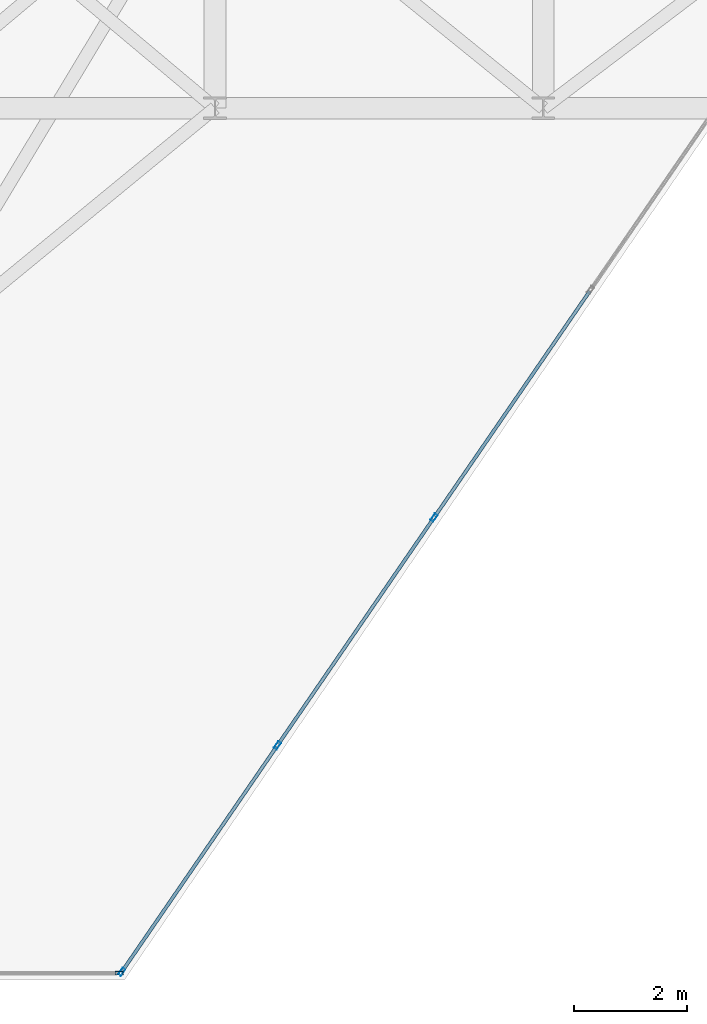
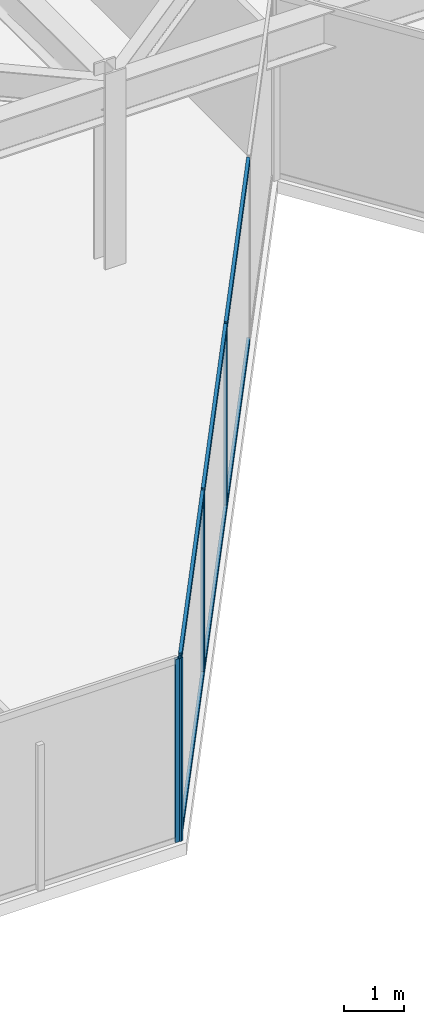
# One storey, part 6 of 27: 10 members, 2 elements without a shape of their own.
"""IFC4 building model written with IfcOpenShell, lengths in metres."""

import ifcopenshell
import ifcopenshell.guid

model = None  # the IFC model being written
_history = None  # IfcOwnerHistory: only IFC2X3 demands one
_inside = {}  # id of a spatial element -> (the spatial element, [elements in it])
_under = {}  # id of a project, library or spatial element -> (it, [spatial elements below it])
_declared = {}  # id of a project -> (the project, [libraries it declares])
_typed = {}  # id of a type object -> (the type object, [elements of that type])
_made_of = {}  # id of a material, layer set ... -> (it, [elements and type objects made of it])


def new_model(schema):
    """Start an empty IFC model of exactly this schema.

    Asked for "IFC4X3", IfcOpenShell would pick the latest addendum, in which some entities
    have other attributes; the version numbers below select the first issue.
    IFC2X3 requires an IfcOwnerHistory on every rooted entity: one is made here for all.
    """
    global model, _history
    if schema == "IFC4X3":
        model = ifcopenshell.file(schema_version=(4, 3, 0, 0))
    else:
        model = ifcopenshell.file(schema=schema)
    _inside.clear()
    _under.clear()
    _declared.clear()
    _typed.clear()
    _made_of.clear()
    _history = None
    if model.schema == "IFC2X3":
        org = make("IfcOrganization", Name="unknown")
        user = make(
            "IfcPersonAndOrganization",
            ThePerson=make("IfcPerson", FamilyName="unknown"),
            TheOrganization=org,
        )
        app = make(
            "IfcApplication",
            ApplicationDeveloper=org,
            Version="unknown",
            ApplicationFullName="unknown",
            ApplicationIdentifier="unknown",
        )
        _history = make(
            "IfcOwnerHistory",
            OwningUser=user,
            OwningApplication=app,
            ChangeAction="ADDED",
            CreationDate=0,
        )
    return model


def make(cls, **values):
    """One entity of the class cls with the attributes given. An attribute that is None is left unset."""
    return model.create_entity(
        cls, **{name: value for name, value in values.items() if value is not None}
    )


def rooted(cls, **values):
    """An entity with a GlobalId (a new one), such as an element, a storey or a relation."""
    return make(cls, GlobalId=ifcopenshell.guid.new(), OwnerHistory=_history, **values)


def si_unit(unit_type, name, prefix=None):
    """IfcSIUnit, for example si_unit("LENGTHUNIT", "METRE", prefix="MILLI")."""
    return make("IfcSIUnit", UnitType=unit_type, Prefix=prefix, Name=name)


def assignment(units):
    """IfcUnitAssignment: the units of a project."""
    return None if units is None else make("IfcUnitAssignment", Units=units)


def point(xyz):
    """IfcCartesianPoint."""
    return None if xyz is None else make("IfcCartesianPoint", Coordinates=xyz)


def direction(xyz):
    """IfcDirection."""
    return None if xyz is None else make("IfcDirection", DirectionRatios=xyz)


def frame(location, z_axis=None, x_axis=None):
    """IfcAxis2Placement3D, a coordinate frame: its origin and axes. An axis left out is left unset."""
    return make(
        "IfcAxis2Placement3D",
        Location=point(location),
        Axis=direction(z_axis),
        RefDirection=direction(x_axis),
    )


def frame_2d(location, x_axis=None):
    """IfcAxis2Placement2D, a coordinate frame in the plane: its origin and x axis."""
    return make(
        "IfcAxis2Placement2D", Location=point(location), RefDirection=direction(x_axis)
    )


def origin():
    """The frame at (0, 0, 0) with its axes left unset."""
    return frame((0.0, 0.0, 0.0))


def origin_2d():
    """The frame at (0, 0) in the plane with its x axis left unset."""
    return frame_2d((0.0, 0.0))


def place(relative_to, where):
    """IfcLocalPlacement: puts the frame where relative to a parent placement (None: the world)."""
    return make(
        "IfcLocalPlacement", PlacementRelTo=relative_to, RelativePlacement=where
    )


def context(
    kind, dimensions, precision=None, world=None, true_north=None, identifier=None
):
    """IfcGeometricRepresentationContext, for example the 3D "Model" context."""
    return make(
        "IfcGeometricRepresentationContext",
        ContextIdentifier=identifier,
        ContextType=kind,
        CoordinateSpaceDimension=dimensions,
        Precision=precision,
        WorldCoordinateSystem=world,
        TrueNorth=true_north,
    )


def subcontext(parent, identifier, kind, view, scale=None):
    """IfcGeometricRepresentationSubContext, for example "Body" below "Model"."""
    return make(
        "IfcGeometricRepresentationSubContext",
        ContextIdentifier=identifier,
        ContextType=kind,
        ParentContext=parent,
        TargetScale=scale,
        TargetView=view,
    )


def project(units=None, contexts=None):
    """IfcProject with its units and contexts."""
    return rooted(
        "IfcProject",
        Name="project",
        RepresentationContexts=contexts,
        UnitsInContext=assignment(units),
    )


def spatial(cls, under=None, at=None, **own):
    """A site, building, storey or space (cls), placed at a placement, below another one or the project."""
    s = rooted(cls, ObjectPlacement=at, **own)
    if under is not None:
        _under.setdefault(under.id(), (under, []))[1].append(s)
    return s


def profile(cls, at=None, kind="AREA", **sizes):
    """A parametric profile (cls). Its sizes go by their IFC names, for example OverallWidth=200.0."""
    return make(cls, ProfileType=kind, Position=at, **sizes)


def hollow_rectangle(**sizes):
    """IfcRectangleHollowProfileDef."""
    return profile("IfcRectangleHollowProfileDef", **sizes)


def extrude(swept, where, along, depth):
    """IfcExtrudedAreaSolid: the profile swept, set in the frame where, extruded along a direction by depth."""
    return make(
        "IfcExtrudedAreaSolid",
        SweptArea=swept,
        Position=where,
        ExtrudedDirection=direction(along),
        Depth=depth,
    )


def shape(context_of_items, identifier, shape_type, items):
    """IfcShapeRepresentation: the items that make up one representation, for example the "Body"."""
    return make(
        "IfcShapeRepresentation",
        ContextOfItems=context_of_items,
        RepresentationIdentifier=identifier,
        RepresentationType=shape_type,
        Items=items,
    )


def material(Name=None, Category=None):
    """IfcMaterial."""
    return make("IfcMaterial", Name=Name, Category=Category)


def layer(
    of_material, thickness, ventilated=None, Name=None, Category=None, Priority=None
):
    """IfcMaterialLayer: one layer of a wall or slab, of a material (None: an air gap)."""
    return make(
        "IfcMaterialLayer",
        Material=of_material,
        LayerThickness=thickness,
        IsVentilated=ventilated,
        Name=Name,
        Category=Category,
        Priority=Priority,
    )


def layer_set(layers, Name=None):
    """IfcMaterialLayerSet."""
    return make("IfcMaterialLayerSet", MaterialLayers=layers, LayerSetName=Name)


def material_profile(
    of_material, cross_section, Name=None, Category=None, Priority=None
):
    """IfcMaterialProfile: a cross section and its material."""
    return make(
        "IfcMaterialProfile",
        Name=Name,
        Material=of_material,
        Profile=cross_section,
        Priority=Priority,
        Category=Category,
    )


def profile_set(profiles, Name=None, composite=None):
    """IfcMaterialProfileSet."""
    return make(
        "IfcMaterialProfileSet",
        Name=Name,
        MaterialProfiles=profiles,
        CompositeProfile=composite,
    )


def made_of(thing, what):
    """Note that an element or type object is made of a material, layer set ...; save() writes the relation."""
    if what is not None:
        _made_of.setdefault(what.id(), (what, []))[1].append(thing)
    return thing


def type_object(cls, material=None, **own):
    """A type object (cls), such as IfcWallType, which elements share."""
    return made_of(rooted(cls, **own), material)


def element(
    cls,
    number,
    at=None,
    inside=None,
    cuts=None,
    type_object=None,
    material=None,
    context=None,
    identifier="Body",
    shape_type=None,
    held_by="IfcProductDefinitionShape",
    body=None,
    shapes=None,
    **own,
):
    """One element of the class cls, such as IfcWall. Its Tag is "e" and its number.

    at: its placement. inside: the storey or other place that contains it. cuts: it is an
    opening in that element (IfcRelVoidsElement). A single representation is given by context,
    identifier, shape_type and body (its items); several are given by shapes. held_by: the class
    of the entity that holds the representations. save() writes the other relations.
    """
    e = rooted(cls, Tag="e%d" % number, ObjectPlacement=at, **own)
    if body is not None:
        shapes = [shape(context, identifier, shape_type, body)]
    if shapes is not None:
        e.Representation = make(held_by, Representations=shapes)
    if inside is not None:
        _inside.setdefault(inside.id(), (inside, []))[1].append(e)
    if cuts is not None:
        rooted(
            "IfcRelVoidsElement", RelatingBuildingElement=cuts, RelatedOpeningElement=e
        )
    if type_object is not None:
        _typed.setdefault(type_object.id(), (type_object, []))[1].append(e)
    return made_of(e, material)


def aggregate(whole, parts):
    """IfcRelAggregates: a whole, such as a stair, and the parts it consists of."""
    return rooted("IfcRelAggregates", RelatingObject=whole, RelatedObjects=parts)


def save(model, path):
    """Write the relations noted so far, then the file.

    IfcRelAggregates (storeys below a building ...), IfcRelContainedInSpatialStructure (elements
    in a storey), IfcRelDefinesByType, IfcRelAssociatesMaterial and IfcRelDeclares: one each for
    every whole, place, type object, material and project.
    """
    for whole, parts in _under.values():
        aggregate(whole, parts)
    for where, things in _inside.values():
        rooted(
            "IfcRelContainedInSpatialStructure",
            RelatedElements=things,
            RelatingStructure=where,
        )
    for kind, things in _typed.values():
        rooted("IfcRelDefinesByType", RelatedObjects=things, RelatingType=kind)
    for what, things in _made_of.values():
        rooted("IfcRelAssociatesMaterial", RelatedObjects=things, RelatingMaterial=what)
    for by, libraries in _declared.values():
        rooted("IfcRelDeclares", RelatingContext=by, RelatedDefinitions=libraries)
    model.write(path)


model = new_model("IFC4")

# Units and contexts
model_context = context("Model", 3, precision=1e-05, world=origin(), true_north=direction((0.0, 1.0)))
body_context = subcontext(model_context, "Body", "Model", "MODEL_VIEW")
ifc_project = project(units=[si_unit("LENGTHUNIT", "METRE"), si_unit("AREAUNIT", "SQUARE_METRE"), si_unit("VOLUMEUNIT", "CUBIC_METRE"), si_unit("PLANEANGLEUNIT", "RADIAN"), si_unit("MASSUNIT", "GRAM", prefix="KILO")], contexts=[model_context])

# Site, building, storey
site_placement = place(None, origin())
site = spatial("IfcSite", under=ifc_project, at=site_placement, CompositionType="ELEMENT")
building_placement = place(site_placement, origin())
building = spatial("IfcBuilding", under=site, at=building_placement, Name="Kravanh Interchange Tower", CompositionType="ELEMENT")
storey_placement = place(building_placement, frame((0.0, 0.0, 196.5)))
storey = spatial("IfcBuildingStorey", under=building, at=storey_placement, Name="L47", CompositionType="ELEMENT", Elevation=196.5)

# Curtain wall, members
ifc_material_1 = material(Name="Anodised Bronze Aluminium", Category="aluminium")
ifc_layer = layer(ifc_material_1, 0.179931640625)
ifc_layer_set = layer_set([ifc_layer], Name="Unitised Curtain Wall System CW-Z3 Upper Office")
curtain_wall_type = type_object("IfcCurtainWallType", Name="Unitised Curtain Wall System CW-Z3 Upper Office", PredefinedType="NOTDEFINED", material=ifc_layer_set)
curtain_wall_1_placement = place(storey_placement, origin())
curtain_wall_1 = element("IfcCurtainWall", 1, at=curtain_wall_1_placement, inside=storey, type_object=curtain_wall_type, Name="L47 Unitised Curtain Wall CW-L47-05", PredefinedType="NOTDEFINED")
ifc_material_2 = material(Name="Anodised Bronze Aluminium", Category="aluminium")
ifc_material_profile_1 = material_profile(ifc_material_2, hollow_rectangle(XDim=0.06005859375, YDim=0.139892578125, WallThickness=0.00390625, at=origin_2d()), Name="ALU60X140X4")
ifc_profile_set_1 = profile_set([ifc_material_profile_1], Name="Anodised Bronze Aluminium")
member_type_1 = type_object("IfcMemberType", Name="Curtain Wall Mullion ALU60X140X4 Bronze", PredefinedType="MULLION", material=ifc_profile_set_1)
member_1_placement = place(storey_placement, frame((36.66845703125, 19.56591796875, 0.0), z_axis=(0.0, 0.0, 1.0), x_axis=(0.824042223035, -0.566528388217, 0.0)))
member_1 = element("IfcMember", 2, at=member_1_placement, type_object=member_type_1, Name="CW-Z3 mullion 3", PredefinedType="MULLION", context=body_context, shape_type="SweptSolid", body=[
    extrude(hollow_rectangle(XDim=0.06005859375, YDim=0.139892578125, WallThickness=0.00390625, at=origin_2d()), origin(), (0.0, 0.0, 1.0), 3.7548828125),
])
member_2_placement = place(storey_placement, frame((33.902587890625, 15.54296875, 0.0), z_axis=(0.0, 0.0, 1.0), x_axis=(0.824042223035, -0.566528388217, 0.0)))
member_2 = element("IfcMember", 3, at=member_2_placement, type_object=member_type_1, Name="CW-Z3 mullion 4", PredefinedType="MULLION", context=body_context, shape_type="SweptSolid", body=[
    extrude(hollow_rectangle(XDim=0.06005859375, YDim=0.139892578125, WallThickness=0.00390625, at=origin_2d()), origin(), (0.0, 0.0, 1.0), 3.7548828125),
])
member_3_placement = place(storey_placement, frame((31.15380859375, 11.544677734375, 0.0), z_axis=(0.0, 0.0, 1.0), x_axis=(0.824042223035, -0.566528388217, 0.0)))
member_3 = element("IfcMember", 4, at=member_3_placement, type_object=member_type_1, Name="CW-Z3 mullion 5", PredefinedType="MULLION", context=body_context, shape_type="SweptSolid", body=[
    extrude(hollow_rectangle(XDim=0.06005859375, YDim=0.139892578125, WallThickness=0.00390625, at=origin_2d()), origin(), (0.0, 0.0, 1.0), 3.7548828125),
])

# Curtain wall, member
curtain_wall_2_placement = place(storey_placement, origin())
curtain_wall_2 = element("IfcCurtainWall", 5, at=curtain_wall_2_placement, inside=storey, type_object=curtain_wall_type, Name="L47 Unitised Curtain Wall CW-L47-06", PredefinedType="NOTDEFINED")
member_4_placement = place(storey_placement, frame((31.10693359375, 11.52001953125, 0.0), z_axis=(0.0, 0.0, 1.0), x_axis=(0.0, -1.0, 0.0)))
member_4 = element("IfcMember", 6, at=member_4_placement, type_object=member_type_1, Name="CW-Z3 mullion 1", PredefinedType="MULLION", context=body_context, shape_type="SweptSolid", body=[
    extrude(hollow_rectangle(XDim=0.06005859375, YDim=0.139892578125, WallThickness=0.00390625, at=origin_2d()), origin(), (0.0, 0.0, 1.0), 3.7548828125),
])
aggregate(curtain_wall_2, [member_4])

# Member
ifc_material_3 = material(Name="Anodised Bronze Aluminium", Category="aluminium")
ifc_material_profile_2 = material_profile(ifc_material_3, hollow_rectangle(XDim=0.06005859375, YDim=0.139892578125, WallThickness=0.00390625, at=origin_2d()), Name="ALU60X140X4")
ifc_profile_set_2 = profile_set([ifc_material_profile_2], Name="Anodised Bronze Aluminium")
member_type_2 = type_object("IfcMemberType", Name="Curtain Wall Transom ALU60X140X4 Bronze", PredefinedType="USERDEFINED", material=ifc_profile_set_2)
member_5_placement = place(storey_placement, frame((39.417236328125, 23.564208984375, 0.030029296875), z_axis=(-0.566503037389, -0.824059651135, 0.0), x_axis=(0.824059651135, -0.566503037389, 0.0)))
member_5 = element("IfcMember", 7, at=member_5_placement, type_object=member_type_2, Name="CW-Z3 transom 2.1", ObjectType="TRANSOM", PredefinedType="USERDEFINED", context=body_context, shape_type="SweptSolid", body=[
    extrude(hollow_rectangle(XDim=0.06005859375, YDim=0.139892578125, WallThickness=0.00390625, at=origin_2d()), origin(), (0.0, 0.0, 1.0), 4.822021484375),
])

member_6_placement = place(storey_placement, frame((39.417236328125, 23.564208984375, 3.72509765625), z_axis=(-0.566503037389, -0.824059651135, 0.0), x_axis=(0.824059651135, -0.566503037389, 0.0)))
member_6 = element("IfcMember", 8, at=member_6_placement, type_object=member_type_2, Name="CW-Z3 transom 2.2", ObjectType="TRANSOM", PredefinedType="USERDEFINED", context=body_context, shape_type="SweptSolid", body=[
    extrude(hollow_rectangle(XDim=0.06005859375, YDim=0.139892578125, WallThickness=0.00390625, at=origin_2d()), origin(), (0.0, 0.0, 1.0), 4.822021484375),
])

member_7_placement = place(storey_placement, frame((36.6513671875, 19.541259765625, 0.030029296875), z_axis=(-0.566503037389, -0.824059651135, 0.0), x_axis=(0.824059651135, -0.566503037389, 0.0)))
member_7 = element("IfcMember", 9, at=member_7_placement, type_object=member_type_2, Name="CW-Z3 transom 3.1", ObjectType="TRANSOM", PredefinedType="USERDEFINED", context=body_context, shape_type="SweptSolid", body=[
    extrude(hollow_rectangle(XDim=0.06005859375, YDim=0.139892578125, WallThickness=0.00390625, at=origin_2d()), origin(), (0.0, 0.0, 1.0), 4.822021484375),
])

member_8_placement = place(storey_placement, frame((36.6513671875, 19.541259765625, 3.72509765625), z_axis=(-0.566503037389, -0.824059651135, 0.0), x_axis=(0.824059651135, -0.566503037389, 0.0)))
member_8 = element("IfcMember", 10, at=member_8_placement, type_object=member_type_2, Name="CW-Z3 transom 3.2", ObjectType="TRANSOM", PredefinedType="USERDEFINED", context=body_context, shape_type="SweptSolid", body=[
    extrude(hollow_rectangle(XDim=0.06005859375, YDim=0.139892578125, WallThickness=0.00390625, at=origin_2d()), origin(), (0.0, 0.0, 1.0), 4.822021484375),
])

member_9_placement = place(storey_placement, frame((33.8857421875, 15.518310546875, 0.030029296875), z_axis=(-0.566518012045, -0.824049356549, 0.0), x_axis=(0.824049356549, -0.566518012045, 0.0)))
member_9 = element("IfcMember", 11, at=member_9_placement, type_object=member_type_2, Name="CW-Z3 transom 4.1", ObjectType="TRANSOM", PredefinedType="USERDEFINED", context=body_context, shape_type="SweptSolid", body=[
    extrude(hollow_rectangle(XDim=0.06005859375, YDim=0.139892578125, WallThickness=0.00390625, at=origin_2d()), origin(), (0.0, 0.0, 1.0), 4.792236328125),
])

member_10_placement = place(storey_placement, frame((33.8857421875, 15.518310546875, 3.72509765625), z_axis=(-0.566518012045, -0.824049356549, 0.0), x_axis=(0.824049356549, -0.566518012045, 0.0)))
member_10 = element("IfcMember", 12, at=member_10_placement, type_object=member_type_2, Name="CW-Z3 transom 4.2", ObjectType="TRANSOM", PredefinedType="USERDEFINED", context=body_context, shape_type="SweptSolid", body=[
    extrude(hollow_rectangle(XDim=0.06005859375, YDim=0.139892578125, WallThickness=0.00390625, at=origin_2d()), origin(), (0.0, 0.0, 1.0), 4.792236328125),
])

aggregate(curtain_wall_1, [member_1, member_2, member_3, member_5, member_6, member_7, member_8, member_9, member_10])

save(model, "model.ifc")
